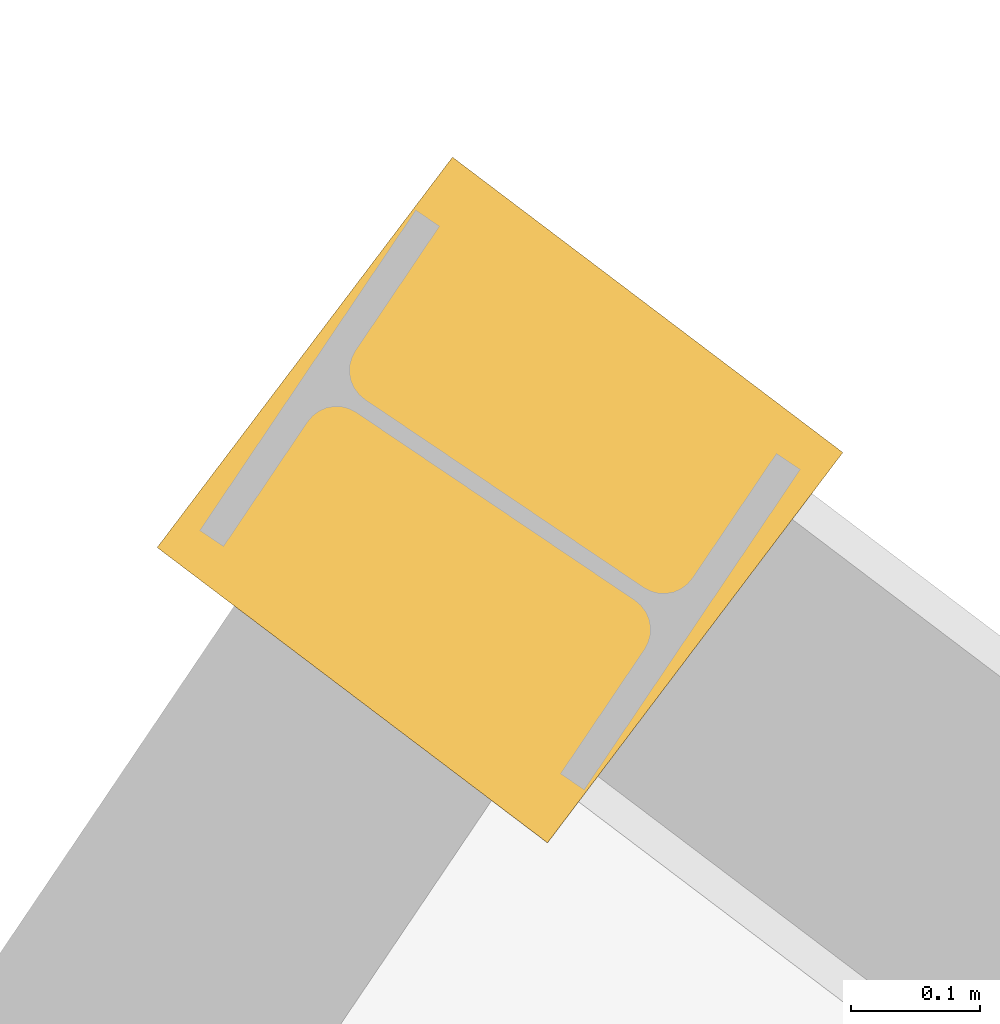
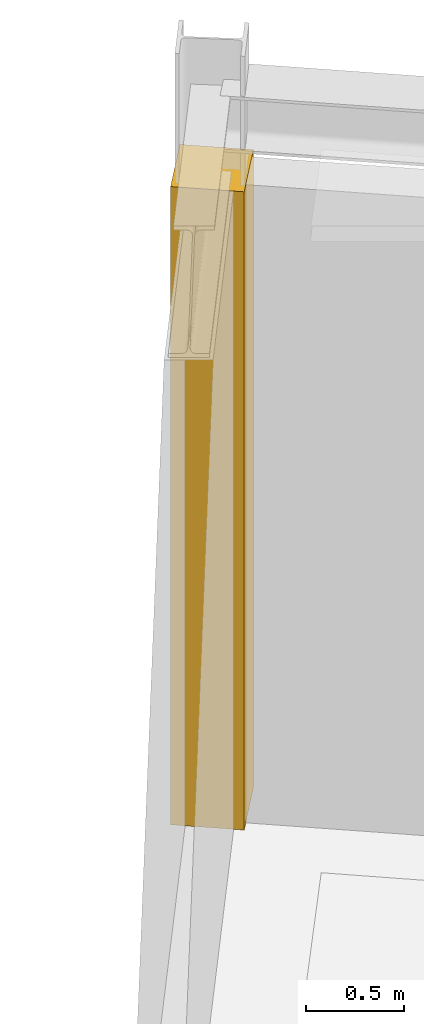
# One storey, part 108 of 108: 1 covering.
"""IFC4 building model written with IfcOpenShell, lengths in metres."""

from ifc_helpers import new_model, si_unit, direction, frame, origin, origin_2d, place, context, subcontext, project, spatial, rectangle, extrude, material, layer, layer_set, type_object, element, save


model = new_model("IFC4")

# Units and contexts
model_context = context("Model", 3, precision=1e-05, world=origin(), true_north=direction((0.0, 1.0)))
body_context = subcontext(model_context, "Body", "Model", "MODEL_VIEW")
ifc_project = project(units=[si_unit("LENGTHUNIT", "METRE"), si_unit("AREAUNIT", "SQUARE_METRE"), si_unit("VOLUMEUNIT", "CUBIC_METRE"), si_unit("PLANEANGLEUNIT", "RADIAN"), si_unit("MASSUNIT", "GRAM", prefix="KILO")], contexts=[model_context])

# Site, building, storey
site_placement = place(None, origin())
site = spatial("IfcSite", under=ifc_project, at=site_placement, CompositionType="ELEMENT")
building_placement = place(site_placement, origin())
building = spatial("IfcBuilding", under=site, at=building_placement, Name="Tarnveldt Headland Concert Hall", CompositionType="ELEMENT")
storey_placement = place(building_placement, frame((0.0, 0.0, 9.60009765625)))
storey = spatial("IfcBuildingStorey", under=building, at=storey_placement, Name="L02", CompositionType="ELEMENT", Elevation=9.60009765625)

# Covering
ifc_material = material(Name="Coral-toned precast concrete C40/50", Category="concrete")
ifc_layer = layer(ifc_material, 0.360107421875, Name="Coral-toned precast concrete C40/50", Category="concrete")
ifc_layer_set = layer_set([ifc_layer], Name="Coral-toned precast concrete C40/50")
covering_type = type_object("IfcCoveringType", Name="CV-JNT360", PredefinedType="CLADDING", material=ifc_layer_set)
covering_placement = place(storey_placement, frame((151.61083984375, 110.5712890625, 0.0), z_axis=(0.0, 0.0, 1.0), x_axis=(0.797478637023, -0.603347183213, 0.0)))
element("IfcCovering", 1, at=covering_placement, inside=storey, type_object=covering_type, Name="Precast facade joint closure pilaster L02-285", PredefinedType="CLADDING", context=body_context, shape_type="SweptSolid", body=[
    extrude(rectangle(XDim=0.3798828125, YDim=0.3798828125, at=origin_2d()), origin(), (0.0, 0.0, 1.0), 3.988037109375),
])

save(model, "model.ifc")
